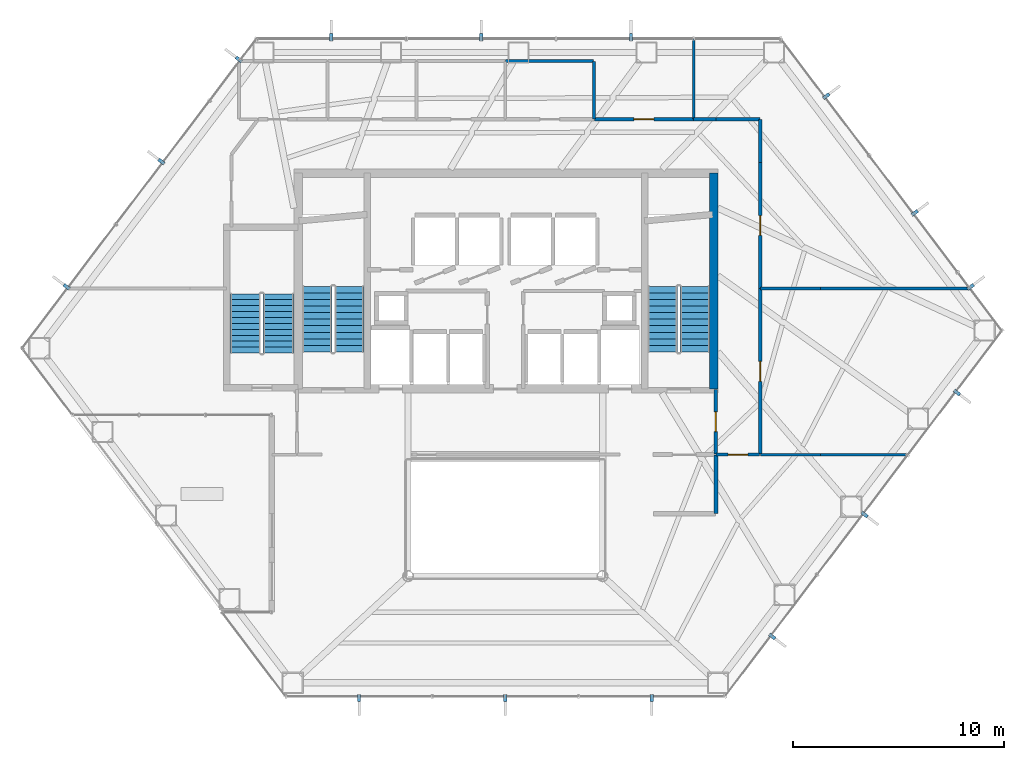
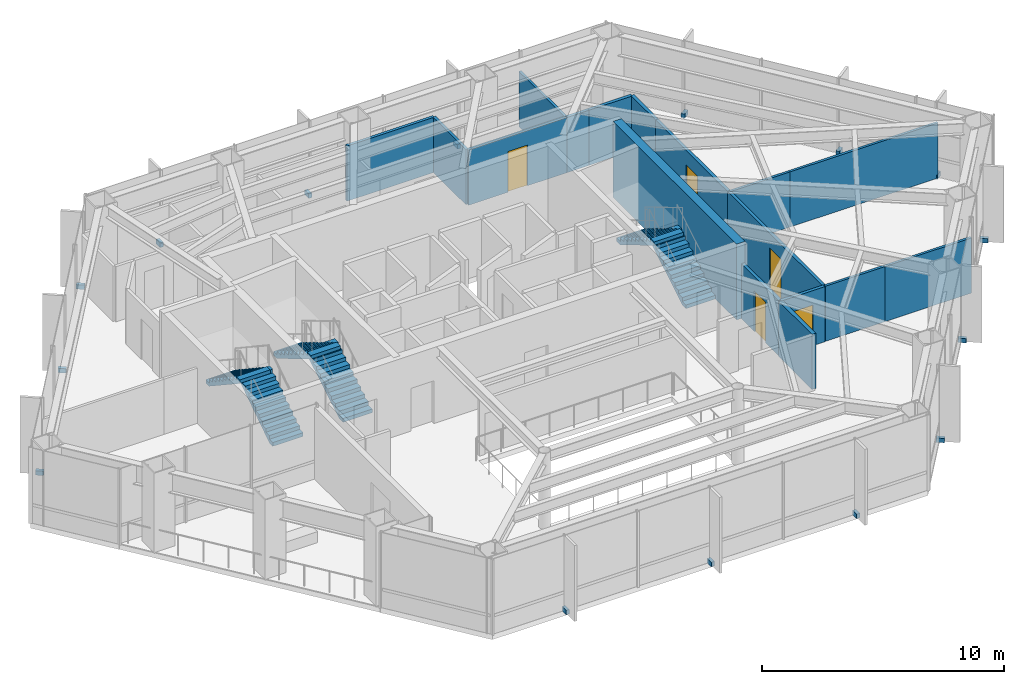
# One storey, part 22 of 24: 17 walls, 15 discrete accessories, 6 stair flights, 5 doors, 5 openings, 3 elements without a shape of their own.
"""IFC4 building model written with IfcOpenShell, lengths in metres."""

from ifc_helpers import new_model, si_unit, direction, frame, frame_2d, origin, origin_2d, place, context, subcontext, project, spatial, polyline, rectangle, outline, extrude, material, layer, layer_set, type_object, element, fill, aggregate, save


model = new_model("IFC4")

# Units and contexts
model_context = context("Model", 3, precision=1e-05, world=origin(), true_north=direction((0.0, 1.0)))
body_context = subcontext(model_context, "Body", "Model", "MODEL_VIEW")
ifc_project = project(units=[si_unit("LENGTHUNIT", "METRE"), si_unit("AREAUNIT", "SQUARE_METRE"), si_unit("VOLUMEUNIT", "CUBIC_METRE"), si_unit("PLANEANGLEUNIT", "RADIAN"), si_unit("MASSUNIT", "GRAM", prefix="KILO")], contexts=[model_context])

# Site, building, storey
site_placement = place(None, origin())
site = spatial("IfcSite", under=ifc_project, at=site_placement, CompositionType="ELEMENT")
building_placement = place(site_placement, origin())
building = spatial("IfcBuilding", under=site, at=building_placement, Name="Zarrinselat Tower", CompositionType="ELEMENT")
storey_placement = place(building_placement, frame((0.0, 0.0, 64.260009765625)))
storey = spatial("IfcBuildingStorey", under=building, at=storey_placement, Name="L15", CompositionType="ELEMENT", Elevation=64.260009765625)

# Wall
ifc_material_1 = material(Name="Concrete C40/50", Category="concrete")
ifc_layer_1 = layer(ifc_material_1, 0.18994140625)
ifc_layer_set_1 = layer_set([ifc_layer_1], Name="Concrete C40/50")
wall_type_1 = type_object("IfcWallType", Name="WAL-PART-EI120", PredefinedType="PARTITIONING", material=ifc_layer_set_1)
wall_1_placement = place(storey_placement, frame((48.35009765625, 27.3701171875, 0.0), z_axis=(0.0, 0.0, 1.0), x_axis=(0.0, 1.0, 0.0)))
element("IfcWall", 1, at=wall_1_placement, inside=storey, type_object=wall_type_1, Name="L15 Partition Wall 14", PredefinedType="PARTITIONING", context=body_context, shape_type="SweptSolid", body=[
    extrude(rectangle(XDim=2.759765625, YDim=0.18994140625, at=frame_2d((1.3798828125, 0.0))), origin(), (0.0, 0.0, 1.0), 2.777099609375),
])

# Wall, opening, door
ifc_material_2 = material(Name="Fire-Rated Gypsum Board Partition", Category="gypsum")
ifc_layer_2 = layer(ifc_material_2, 0.14990234375)
ifc_layer_set_2 = layer_set([ifc_layer_2], Name="Fire-Rated Gypsum Board Partition")
wall_type_2 = type_object("IfcWallType", Name="WAL-PART-EI60", PredefinedType="PARTITIONING", material=ifc_layer_set_2)
wall_2_placement = place(storey_placement, frame((48.35009765625, 30.169921875, 0.0), z_axis=(0.0, 0.0, 1.0), x_axis=(0.0, 1.0, 0.0)))
wall_2 = element("IfcWall", 2, at=wall_2_placement, inside=storey, type_object=wall_type_2, Name="L15 Partition Wall 9", PredefinedType="PARTITIONING", context=body_context, shape_type="SweptSolid", body=[
    extrude(rectangle(XDim=3.06005859375, YDim=0.14990234375, at=frame_2d((1.530029296875, 0.0))), origin(), (0.0, 0.0, 1.0), 2.777099609375),
])
opening_1_placement = place(wall_2_placement, frame((1.06005859375, 0.0, 0.0)))
opening_1 = element("IfcOpeningElement", 3, at=opening_1_placement, cuts=wall_2, Name="Opening ID-04", PredefinedType="OPENING", context=body_context, shape_type="SweptSolid", body=[
    extrude(rectangle(XDim=0.93994140625, YDim=2.050048828125, at=frame_2d((0.469970703125, 1.02490234375))), frame((0.0, 0.0849609375, 0.0), z_axis=(0.0, -1.0, 0.0), x_axis=(1.0, 0.0, 0.0)), (0.0, 0.0, 1.0), 0.169921875),
])
ifc_material_3 = material(Name="Fire-Rated Gypsum Board Partition")
door_type = type_object("IfcDoorType", Name="DR-INT-FD30-ENT", OperationType="NOTDEFINED", PredefinedType="DOOR", material=ifc_material_3)
door_1_placement = place(opening_1_placement, origin())
door_1 = element("IfcDoor", 4, at=door_1_placement, inside=storey, type_object=door_type, Name="L15 Interior Door P9", OperationType="SINGLE_SWING_LEFT", OverallHeight=2.050048828125, OverallWidth=0.93994140625, PredefinedType="DOOR", context=body_context, shape_type="SweptSolid", body=[
    extrude(rectangle(XDim=0.93994140625, YDim=2.050048828125, at=frame_2d((0.469970703125, 1.02490234375))), frame((0.0, 0.02490234375, 0.0), z_axis=(0.0, -1.0, 0.0), x_axis=(1.0, 0.0, 0.0)), (0.0, 0.0, 1.0), 0.050048828125),
])
fill(opening_1, door_1)

wall_3_placement = place(storey_placement, frame((48.3701171875, 30.14990234375, 0.0), z_axis=(0.0, 0.0, 1.0), x_axis=(1.0, 0.0, 0.0)))
wall_3 = element("IfcWall", 5, at=wall_3_placement, inside=storey, type_object=wall_type_2, Name="L15 Partition Wall 20", PredefinedType="PARTITIONING", context=body_context, shape_type="SweptSolid", body=[
    extrude(rectangle(XDim=2.059814453125, YDim=0.14990234375, at=frame_2d((1.02978515625, 0.0))), origin(), (0.0, 0.0, 1.0), 2.777099609375),
])
opening_2_placement = place(wall_3_placement, frame((0.56005859375, 0.0, 0.0)))
opening_2 = element("IfcOpeningElement", 6, at=opening_2_placement, cuts=wall_3, Name="Opening ID-04", PredefinedType="OPENING", context=body_context, shape_type="SweptSolid", body=[
    extrude(rectangle(XDim=0.93994140625, YDim=2.050048828125, at=frame_2d((0.469970703125, 1.02490234375))), frame((0.0, 0.0849609375, 0.0), z_axis=(0.0, -1.0, 0.0), x_axis=(1.0, 0.0, 0.0)), (0.0, 0.0, 1.0), 0.169921875),
])
door_2_placement = place(opening_2_placement, origin())
door_2 = element("IfcDoor", 7, at=door_2_placement, inside=storey, type_object=door_type, Name="L15 Interior Door P20", OperationType="SINGLE_SWING_RIGHT", OverallHeight=2.050048828125, OverallWidth=0.93994140625, PredefinedType="DOOR", context=body_context, shape_type="SweptSolid", body=[
    extrude(rectangle(XDim=0.93994140625, YDim=2.050048828125, at=frame_2d((0.469970703125, 1.02490234375))), frame((0.0, 0.02490234375, 0.0), z_axis=(0.0, -1.0, 0.0), x_axis=(1.0, 0.0, 0.0)), (0.0, 0.0, 1.0), 0.050048828125),
])
fill(opening_2, door_2)

wall_4_placement = place(storey_placement, frame((50.449951171875, 30.169921875, 0.0), z_axis=(0.0, 0.0, 1.0), x_axis=(0.0, 1.0, 0.0)))
wall_4 = element("IfcWall", 8, at=wall_4_placement, inside=storey, type_object=wall_type_2, Name="L15 Partition Wall 21", PredefinedType="PARTITIONING", context=body_context, shape_type="SweptSolid", body=[
    extrude(rectangle(XDim=7.8251953125, YDim=0.14990234375, at=frame_2d((3.91259765625, 0.0))), origin(), (0.0, 0.0, 1.0), 2.777099609375),
])
opening_3_placement = place(wall_4_placement, frame((3.4423828125, 0.0, 0.0)))
opening_3 = element("IfcOpeningElement", 9, at=opening_3_placement, cuts=wall_4, Name="Opening ID-04", PredefinedType="OPENING", context=body_context, shape_type="SweptSolid", body=[
    extrude(rectangle(XDim=0.93994140625, YDim=2.050048828125, at=frame_2d((0.469970703125, 1.02490234375))), frame((0.0, 0.0849609375, 0.0), z_axis=(0.0, -1.0, 0.0), x_axis=(1.0, 0.0, 0.0)), (0.0, 0.0, 1.0), 0.169921875),
])
door_3_placement = place(opening_3_placement, origin())
door_3 = element("IfcDoor", 10, at=door_3_placement, inside=storey, type_object=door_type, Name="L15 Interior Door P21", OperationType="SINGLE_SWING_LEFT", OverallHeight=2.050048828125, OverallWidth=0.93994140625, PredefinedType="DOOR", context=body_context, shape_type="SweptSolid", body=[
    extrude(rectangle(XDim=0.93994140625, YDim=2.050048828125, at=frame_2d((0.469970703125, 1.02490234375))), frame((0.0, 0.02490234375, 0.0), z_axis=(0.0, -1.0, 0.0), x_axis=(1.0, 0.0, 0.0)), (0.0, 0.0, 1.0), 0.050048828125),
])
fill(opening_3, door_3)

# Walls
wall_5_placement = place(storey_placement, frame((47.304931640625, 46.0, 0.0), z_axis=(0.0, 0.0, 1.0), x_axis=(1.0, 0.0, 0.0)))
element("IfcWall", 11, at=wall_5_placement, inside=storey, type_object=wall_type_2, Name="L15 Partition Wall 24", PredefinedType="PARTITIONING", context=body_context, shape_type="SweptSolid", body=[
    extrude(rectangle(XDim=1.045166015625, YDim=0.14990234375, at=frame_2d((0.5224609375, 0.0))), origin(), (0.0, 0.0, 1.0), 2.777099609375),
])
wall_6_placement = place(storey_placement, frame((48.35009765625, 46.0, 0.0), z_axis=(0.0, 0.0, 1.0), x_axis=(1.0, 0.0, 0.0)))
element("IfcWall", 12, at=wall_6_placement, inside=storey, type_object=wall_type_2, Name="L15 Partition Wall 25", PredefinedType="PARTITIONING", context=body_context, shape_type="SweptSolid", body=[
    extrude(rectangle(XDim=2.079833984375, YDim=0.14990234375, at=frame_2d((1.0400390625, 0.0))), origin(), (0.0, 0.0, 1.0), 2.777099609375),
])
wall_7_placement = place(storey_placement, frame((50.449951171875, 43.949951171875, 0.0), z_axis=(0.0, 0.0, 1.0), x_axis=(0.0, 1.0, 0.0)))
element("IfcWall", 13, at=wall_7_placement, inside=storey, type_object=wall_type_2, Name="L15 Partition Wall 26", PredefinedType="PARTITIONING", context=body_context, shape_type="SweptSolid", body=[
    extrude(rectangle(XDim=2.030029296875, YDim=0.14990234375, at=frame_2d((1.01513671875, 0.0))), origin(), (0.0, 0.0, 1.0), 2.777099609375),
])

# Wall, opening, door
wall_8_placement = place(storey_placement, frame((50.449951171875, 38.0048828125, 0.0), z_axis=(0.0, 0.0, 1.0), x_axis=(0.0, 1.0, 0.0)))
wall_8 = element("IfcWall", 14, at=wall_8_placement, inside=storey, type_object=wall_type_2, Name="L15 Partition Wall 27", PredefinedType="PARTITIONING", context=body_context, shape_type="SweptSolid", body=[
    extrude(rectangle(XDim=5.945068359375, YDim=0.14990234375, at=frame_2d((2.97265625, 0.0))), origin(), (0.0, 0.0, 1.0), 2.777099609375),
])
opening_4_placement = place(wall_8_placement, frame((2.50244140625, 0.0, 0.0)))
opening_4 = element("IfcOpeningElement", 15, at=opening_4_placement, cuts=wall_8, Name="Opening ID-04", PredefinedType="OPENING", context=body_context, shape_type="SweptSolid", body=[
    extrude(rectangle(XDim=0.93994140625, YDim=2.050048828125, at=frame_2d((0.469970703125, 1.02490234375))), frame((0.0, 0.0849609375, 0.0), z_axis=(0.0, -1.0, 0.0), x_axis=(1.0, 0.0, 0.0)), (0.0, 0.0, 1.0), 0.169921875),
])
door_4_placement = place(opening_4_placement, origin())
door_4 = element("IfcDoor", 16, at=door_4_placement, inside=storey, type_object=door_type, Name="L15 Interior Door P27", OperationType="SINGLE_SWING_LEFT", OverallHeight=2.050048828125, OverallWidth=0.93994140625, PredefinedType="DOOR", context=body_context, shape_type="SweptSolid", body=[
    extrude(rectangle(XDim=0.93994140625, YDim=2.050048828125, at=frame_2d((0.469970703125, 1.02490234375))), frame((0.0, 0.02490234375, 0.0), z_axis=(0.0, -1.0, 0.0), x_axis=(1.0, 0.0, 0.0)), (0.0, 0.0, 1.0), 0.050048828125),
])
fill(opening_4, door_4)

wall_9_placement = place(storey_placement, frame((42.60498046875, 46.0, 0.0), z_axis=(0.0, 0.0, 1.0), x_axis=(1.0, 0.0, 0.0)))
wall_9 = element("IfcWall", 17, at=wall_9_placement, inside=storey, type_object=wall_type_2, Name="L15 Partition Wall 28", PredefinedType="PARTITIONING", context=body_context, shape_type="SweptSolid", body=[
    extrude(rectangle(XDim=4.68994140625, YDim=0.14990234375, at=frame_2d((2.344970703125, 0.0))), origin(), (0.0, 0.0, 1.0), 2.777099609375),
])
opening_5_placement = place(wall_9_placement, frame((1.875, 0.0, 0.0)))
opening_5 = element("IfcOpeningElement", 18, at=opening_5_placement, cuts=wall_9, Name="Opening ID-04", PredefinedType="OPENING", context=body_context, shape_type="SweptSolid", body=[
    extrude(rectangle(XDim=0.93994140625, YDim=2.050048828125, at=frame_2d((0.469970703125, 1.02490234375))), frame((0.0, 0.0849609375, 0.0), z_axis=(0.0, -1.0, 0.0), x_axis=(1.0, 0.0, 0.0)), (0.0, 0.0, 1.0), 0.169921875),
])
door_5_placement = place(opening_5_placement, origin())
door_5 = element("IfcDoor", 19, at=door_5_placement, inside=storey, type_object=door_type, Name="L15 Interior Door P28", OperationType="SINGLE_SWING_RIGHT", OverallHeight=2.050048828125, OverallWidth=0.93994140625, PredefinedType="DOOR", context=body_context, shape_type="SweptSolid", body=[
    extrude(rectangle(XDim=0.93994140625, YDim=2.050048828125, at=frame_2d((0.469970703125, 1.02490234375))), frame((0.0, 0.02490234375, 0.0), z_axis=(0.0, -1.0, 0.0), x_axis=(1.0, 0.0, 0.0)), (0.0, 0.0, 1.0), 0.050048828125),
])
fill(opening_5, door_5)

# Walls
ifc_material_4 = material(Name="Fire-Rated Gypsum Board Partition", Category="gypsum")
ifc_layer_3 = layer(ifc_material_4, 0.1201171875)
ifc_layer_set_3 = layer_set([ifc_layer_3], Name="Fire-Rated Gypsum Board Partition")
wall_type_3 = type_object("IfcWallType", Name="WAL-PART-STD", PredefinedType="PARTITIONING", material=ifc_layer_set_3)
wall_10_placement = place(storey_placement, frame((50.469970703125, 30.14990234375, 0.0), z_axis=(0.0, 0.0, 1.0), x_axis=(1.0, 0.0, 0.0)))
element("IfcWall", 20, at=wall_10_placement, inside=storey, type_object=wall_type_3, Name="L15 Partition Wall 40", PredefinedType="PARTITIONING", context=body_context, shape_type="SweptSolid", body=[
    extrude(rectangle(XDim=2.830078125, YDim=0.1201171875, at=frame_2d((1.4150390625, 0.0))), origin(), (0.0, 0.0, 1.0), 2.777099609375),
])
wall_11_placement = place(storey_placement, frame((53.300048828125, 30.14990234375, 0.0), z_axis=(0.0, 0.0, 1.0), x_axis=(1.0, 0.0, 0.0)))
element("IfcWall", 21, at=wall_11_placement, inside=storey, type_object=wall_type_3, Name="L15 Partition Wall 41", PredefinedType="PARTITIONING", context=body_context, shape_type="SweptSolid", body=[
    extrude(rectangle(XDim=4.129638671875, YDim=0.1201171875, at=frame_2d((2.06494140625, 0.0))), origin(), (0.0, 0.0, 1.0), 2.777099609375),
])
wall_12_placement = place(storey_placement, frame((50.469970703125, 38.0, 0.0), z_axis=(0.0, 0.0, 1.0), x_axis=(1.0, 0.0, 0.0)))
element("IfcWall", 22, at=wall_12_placement, inside=storey, type_object=wall_type_3, Name="L15 Partition Wall 44", PredefinedType="PARTITIONING", context=body_context, shape_type="SweptSolid", body=[
    extrude(rectangle(XDim=2.830078125, YDim=0.1201171875, at=frame_2d((1.4150390625, 0.0))), origin(), (0.0, 0.0, 1.0), 2.777099609375),
])
wall_13_placement = place(storey_placement, frame((53.300048828125, 38.0, 0.0), z_axis=(0.0, 0.0, 1.0), x_axis=(1.0, 0.0, 0.0)))
element("IfcWall", 23, at=wall_13_placement, inside=storey, type_object=wall_type_3, Name="L15 Partition Wall 45", PredefinedType="PARTITIONING", context=body_context, shape_type="SweptSolid", body=[
    extrude(rectangle(XDim=7.058837890625, YDim=0.1201171875, at=frame_2d((3.529296875, 0.0))), origin(), (0.0, 0.0, 1.0), 2.777099609375),
])
wall_14_placement = place(storey_placement, frame((47.300048828125, 46.02001953125, 0.0), z_axis=(0.0, 0.0, 1.0), x_axis=(0.0, 1.0, 0.0)))
element("IfcWall", 24, at=wall_14_placement, inside=storey, type_object=wall_type_3, Name="L15 Partition Wall 46", PredefinedType="PARTITIONING", context=body_context, shape_type="SweptSolid", body=[
    extrude(rectangle(XDim=3.776123046875, YDim=0.1201171875, at=frame_2d((1.88818359375, 0.0))), origin(), (0.0, 0.0, 1.0), 2.777099609375),
])
ifc_material_5 = material(Name="Fire-Rated Gypsum Board Partition", Category="gypsum")
ifc_layer_4 = layer(ifc_material_5, 0.135009765625)
ifc_layer_set_4 = layer_set([ifc_layer_4], Name="Fire-Rated Gypsum Board Partition")
wall_type_4 = type_object("IfcWallType", Name="WAL-PART-WET", PredefinedType="PARTITIONING", material=ifc_layer_set_4)
wall_15_placement = place(storey_placement, frame((38.419921875, 48.75, 0.0), z_axis=(0.0, 0.0, 1.0), x_axis=(1.0, 0.0, 0.0)))
element("IfcWall", 25, at=wall_15_placement, inside=storey, type_object=wall_type_4, Name="L15 Partition Wall 37", PredefinedType="PARTITIONING", context=body_context, shape_type="SweptSolid", body=[
    extrude(rectangle(XDim=4.16015625, YDim=0.135009765625, at=frame_2d((2.080078125, 0.0))), origin(), (0.0, 0.0, 1.0), 2.777099609375),
])
wall_16_placement = place(storey_placement, frame((42.60009765625, 46.02001953125, 0.0), z_axis=(0.0, 0.0, 1.0), x_axis=(0.0, 1.0, 0.0)))
element("IfcWall", 26, at=wall_16_placement, inside=storey, type_object=wall_type_4, Name="L15 Partition Wall 38", PredefinedType="PARTITIONING", context=body_context, shape_type="SweptSolid", body=[
    extrude(rectangle(XDim=2.7099609375, YDim=0.135009765625, at=frame_2d((1.35498046875, 0.0))), origin(), (0.0, 0.0, 1.0), 2.777099609375),
])
ifc_material_6 = material(Name="Concrete C60/75", Category="concrete")
ifc_layer_5 = layer(ifc_material_6, 0.39990234375)
ifc_layer_set_5 = layer_set([ifc_layer_5], Name="Concrete C60/75")
wall_type_5 = type_object("IfcWallType", Name="WAL-SHEAR-400", PredefinedType="SHEAR", material=ifc_layer_set_5)
wall_17_placement = place(storey_placement, frame((48.260009765625, 33.25, 0.0), z_axis=(0.0, 0.0, 1.0), x_axis=(0.0, 1.0, 0.0)))
element("IfcWall", 27, at=wall_17_placement, inside=storey, type_object=wall_type_5, Name="L15 Core Shear Wall E", PredefinedType="SHEAR", context=body_context, shape_type="SweptSolid", body=[
    extrude(rectangle(XDim=10.199951171875, YDim=0.39990234375, at=frame_2d((5.10009765625, 0.0))), origin(), (0.0, 0.0, 1.0), 3.820068359375),
])

# Stair, stair flights
ifc_material_7 = material(Name="Concrete C40/50", Category="concrete")
stair_type_1 = type_object("IfcStairType", Name="STR-CORE-145", PredefinedType="HALF_TURN_STAIR", material=ifc_material_7)
stair_1_placement = place(storey_placement, origin())
stair_1 = element("IfcStair", 28, at=stair_1_placement, inside=storey, type_object=stair_type_1, Name="L15 Podium & Mid-Tower Exit Stair 3", PredefinedType="HALF_TURN_STAIR")
ifc_material_8 = material(Name="Concrete C40/50", Category="concrete")
stair_flight_type_1 = type_object("IfcStairFlightType", Name="STR-FLT-145", PredefinedType="STRAIGHT", material=ifc_material_8)
stair_flight_1_placement = place(storey_placement, frame((27.675048828125, 34.949951171875, 0.0), z_axis=(0.0, 0.0, 1.0), x_axis=(0.0, 1.0, 0.0)))
stair_flight_1 = element("IfcStairFlight", 29, at=stair_flight_1_placement, type_object=stair_flight_type_1, Name="ST-3 flight 1", NumberOfRisers=11, NumberOfTreads=10, PredefinedType="STRAIGHT", RiserHeight=0.185454545, TreadLength=0.28, context=body_context, shape_type="SweptSolid", body=[
    extrude(outline(polyline([(0.0, 0.0), (0.0, 0.185546875), (0.280029296875, 0.185546875), (0.280029296875, 0.370849609375), (0.56005859375, 0.370849609375), (0.56005859375, 0.556396484375), (0.840087890625, 0.556396484375), (0.840087890625, 0.74169921875), (1.1201171875, 0.74169921875), (1.1201171875, 0.92724609375), (1.39990234375, 0.92724609375), (1.39990234375, 1.11279296875), (1.679931640625, 1.11279296875), (1.679931640625, 1.298095703125), (1.9599609375, 1.298095703125), (1.9599609375, 1.483642578125), (2.239990234375, 1.483642578125), (2.239990234375, 1.669189453125), (2.52001953125, 1.669189453125), (2.52001953125, 1.8544921875), (2.800048828125, 1.8544921875), (2.800048828125, 2.0400390625), (2.800048828125, 1.6748046875), (0.271484375, 0.0), (0.0, 0.0)])), frame((0.0, 0.72509765625, 0.0), z_axis=(0.0, -1.0, 0.0), x_axis=(1.0, 0.0, 0.0)), (0.0, 0.0, 1.0), 1.449951171875),
])
stair_flight_2_placement = place(storey_placement, frame((26.10498046875, 37.75, 2.0400390625), z_axis=(0.0, 0.0, 1.0), x_axis=(0.0, -1.0, 0.0)))
stair_flight_2 = element("IfcStairFlight", 30, at=stair_flight_2_placement, type_object=stair_flight_type_1, Name="ST-3 flight 2", NumberOfRisers=11, NumberOfTreads=10, PredefinedType="STRAIGHT", RiserHeight=0.185454545, TreadLength=0.28, context=body_context, shape_type="SweptSolid", body=[
    extrude(outline(polyline([(0.0, 0.0), (0.0, 0.185546875), (0.280029296875, 0.185546875), (0.280029296875, 0.370849609375), (0.56005859375, 0.370849609375), (0.56005859375, 0.556396484375), (0.840087890625, 0.556396484375), (0.840087890625, 0.74169921875), (1.1201171875, 0.74169921875), (1.1201171875, 0.92724609375), (1.39990234375, 0.92724609375), (1.39990234375, 1.11279296875), (1.679931640625, 1.11279296875), (1.679931640625, 1.298095703125), (1.9599609375, 1.298095703125), (1.9599609375, 1.483642578125), (2.239990234375, 1.483642578125), (2.239990234375, 1.669189453125), (2.52001953125, 1.669189453125), (2.52001953125, 1.8544921875), (2.800048828125, 1.8544921875), (2.800048828125, 2.0400390625), (2.800048828125, 1.6748046875), (0.271484375, 0.0), (0.0, 0.0)])), frame((0.0, 0.72509765625, 0.0), z_axis=(0.0, -1.0, 0.0), x_axis=(1.0, 0.0, 0.0)), (0.0, 0.0, 1.0), 1.449951171875),
])
aggregate(stair_1, [stair_flight_1, stair_flight_2])

ifc_material_9 = material(Name="Concrete C40/50", Category="concrete")
stair_type_2 = type_object("IfcStairType", Name="STR-CORE-155", PredefinedType="HALF_TURN_STAIR", material=ifc_material_9)
stair_2_placement = place(storey_placement, origin())
stair_2 = element("IfcStair", 31, at=stair_2_placement, inside=storey, type_object=stair_type_2, Name="L15 Core Exit Stair 1", PredefinedType="HALF_TURN_STAIR")
ifc_material_10 = material(Name="Concrete C40/50", Category="concrete")
stair_flight_type_2 = type_object("IfcStairFlightType", Name="STR-FLT-155", PredefinedType="STRAIGHT", material=ifc_material_10)
stair_flight_3_placement = place(storey_placement, frame((31.02001953125, 35.0, 0.0), z_axis=(0.0, 0.0, 1.0), x_axis=(0.0, 1.0, 0.0)))
stair_flight_3 = element("IfcStairFlight", 32, at=stair_flight_3_placement, type_object=stair_flight_type_2, Name="ST-1 flight 1", NumberOfRisers=11, NumberOfTreads=10, PredefinedType="STRAIGHT", RiserHeight=0.185454545, TreadLength=0.31, context=body_context, shape_type="SweptSolid", body=[
    extrude(outline(polyline([(0.0, 0.0), (0.0, 0.185546875), (0.31005859375, 0.185546875), (0.31005859375, 0.370849609375), (0.6201171875, 0.370849609375), (0.6201171875, 0.556396484375), (0.929931640625, 0.556396484375), (0.929931640625, 0.74169921875), (1.239990234375, 0.74169921875), (1.239990234375, 0.92724609375), (1.550048828125, 0.92724609375), (1.550048828125, 1.11279296875), (1.860107421875, 1.11279296875), (1.860107421875, 1.298095703125), (2.169921875, 1.298095703125), (2.169921875, 1.483642578125), (2.47998046875, 1.483642578125), (2.47998046875, 1.669189453125), (2.7900390625, 1.669189453125), (2.7900390625, 1.8544921875), (3.10009765625, 1.8544921875), (3.10009765625, 2.0400390625), (3.10009765625, 1.679931640625), (0.2919921875, 0.0), (0.0, 0.0)])), frame((0.0, 0.699951171875, 0.0), z_axis=(0.0, -1.0, 0.0), x_axis=(1.0, 0.0, 0.0)), (0.0, 0.0, 1.0), 1.39990234375),
])
stair_flight_4_placement = place(storey_placement, frame((29.5, 38.10009765625, 2.0400390625), z_axis=(0.0, 0.0, 1.0), x_axis=(0.0, -1.0, 0.0)))
stair_flight_4 = element("IfcStairFlight", 33, at=stair_flight_4_placement, type_object=stair_flight_type_2, Name="ST-1 flight 2", NumberOfRisers=11, NumberOfTreads=10, PredefinedType="STRAIGHT", RiserHeight=0.185454545, TreadLength=0.31, context=body_context, shape_type="SweptSolid", body=[
    extrude(outline(polyline([(0.0, 0.0), (0.0, 0.185546875), (0.31005859375, 0.185546875), (0.31005859375, 0.370849609375), (0.6201171875, 0.370849609375), (0.6201171875, 0.556396484375), (0.929931640625, 0.556396484375), (0.929931640625, 0.74169921875), (1.239990234375, 0.74169921875), (1.239990234375, 0.92724609375), (1.550048828125, 0.92724609375), (1.550048828125, 1.11279296875), (1.860107421875, 1.11279296875), (1.860107421875, 1.298095703125), (2.169921875, 1.298095703125), (2.169921875, 1.483642578125), (2.47998046875, 1.483642578125), (2.47998046875, 1.669189453125), (2.7900390625, 1.669189453125), (2.7900390625, 1.8544921875), (3.10009765625, 1.8544921875), (3.10009765625, 2.0400390625), (3.10009765625, 1.679931640625), (0.2919921875, 0.0), (0.0, 0.0)])), frame((0.0, 0.699951171875, 0.0), z_axis=(0.0, -1.0, 0.0), x_axis=(1.0, 0.0, 0.0)), (0.0, 0.0, 1.0), 1.39990234375),
])
aggregate(stair_2, [stair_flight_3, stair_flight_4])

stair_3_placement = place(storey_placement, origin())
stair_3 = element("IfcStair", 34, at=stair_3_placement, inside=storey, type_object=stair_type_2, Name="L15 Core Exit Stair 2", PredefinedType="HALF_TURN_STAIR")
stair_flight_5_placement = place(storey_placement, frame((47.360107421875, 35.0, 0.0), z_axis=(0.0, 0.0, 1.0), x_axis=(0.0, 1.0, 0.0)))
stair_flight_5 = element("IfcStairFlight", 35, at=stair_flight_5_placement, type_object=stair_flight_type_2, Name="ST-2 flight 1", NumberOfRisers=11, NumberOfTreads=10, PredefinedType="STRAIGHT", RiserHeight=0.185454545, TreadLength=0.31, context=body_context, shape_type="SweptSolid", body=[
    extrude(outline(polyline([(0.0, 0.0), (0.0, 0.185546875), (0.31005859375, 0.185546875), (0.31005859375, 0.370849609375), (0.6201171875, 0.370849609375), (0.6201171875, 0.556396484375), (0.929931640625, 0.556396484375), (0.929931640625, 0.74169921875), (1.239990234375, 0.74169921875), (1.239990234375, 0.92724609375), (1.550048828125, 0.92724609375), (1.550048828125, 1.11279296875), (1.860107421875, 1.11279296875), (1.860107421875, 1.298095703125), (2.169921875, 1.298095703125), (2.169921875, 1.483642578125), (2.47998046875, 1.483642578125), (2.47998046875, 1.669189453125), (2.7900390625, 1.669189453125), (2.7900390625, 1.8544921875), (3.10009765625, 1.8544921875), (3.10009765625, 2.0400390625), (3.10009765625, 1.679931640625), (0.2919921875, 0.0), (0.0, 0.0)])), frame((0.0, 0.699951171875, 0.0), z_axis=(0.0, -1.0, 0.0), x_axis=(1.0, 0.0, 0.0)), (0.0, 0.0, 1.0), 1.39990234375),
])
stair_flight_6_placement = place(storey_placement, frame((45.840087890625, 38.10009765625, 2.0400390625), z_axis=(0.0, 0.0, 1.0), x_axis=(0.0, -1.0, 0.0)))
stair_flight_6 = element("IfcStairFlight", 36, at=stair_flight_6_placement, type_object=stair_flight_type_2, Name="ST-2 flight 2", NumberOfRisers=11, NumberOfTreads=10, PredefinedType="STRAIGHT", RiserHeight=0.185454545, TreadLength=0.31, context=body_context, shape_type="SweptSolid", body=[
    extrude(outline(polyline([(0.0, 0.0), (0.0, 0.185546875), (0.31005859375, 0.185546875), (0.31005859375, 0.370849609375), (0.6201171875, 0.370849609375), (0.6201171875, 0.556396484375), (0.929931640625, 0.556396484375), (0.929931640625, 0.74169921875), (1.239990234375, 0.74169921875), (1.239990234375, 0.92724609375), (1.550048828125, 0.92724609375), (1.550048828125, 1.11279296875), (1.860107421875, 1.11279296875), (1.860107421875, 1.298095703125), (2.169921875, 1.298095703125), (2.169921875, 1.483642578125), (2.47998046875, 1.483642578125), (2.47998046875, 1.669189453125), (2.7900390625, 1.669189453125), (2.7900390625, 1.8544921875), (3.10009765625, 1.8544921875), (3.10009765625, 2.0400390625), (3.10009765625, 1.679931640625), (0.2919921875, 0.0), (0.0, 0.0)])), frame((0.0, 0.699951171875, 0.0), z_axis=(0.0, -1.0, 0.0), x_axis=(1.0, 0.0, 0.0)), (0.0, 0.0, 1.0), 1.39990234375),
])
aggregate(stair_3, [stair_flight_5, stair_flight_6])

# Discrete accessories
ifc_material_11 = material(Name="Steel S355J2", Category="steel")
discrete_accessory_type = type_object("IfcDiscreteAccessoryType", Name="ACC-FIN-BRACKET", PredefinedType="BRACKET", material=ifc_material_11)
for number, where, z_axis, x_axis, name in (
    (37, (17.660400390625, 38.07861328125, -0.0498046875), (0.0, 0.0, 1.0), (-0.797092942501, 0.603856639456, 0.0), "L15 Fin Fixing Bracket CW-L15-E01-01"),
    (38, (22.1455078125, 43.998779296875, -0.0498046875), (0.0, 0.0, 1.0), (-0.797092942501, 0.603856639456, 0.0), "L15 Fin Fixing Bracket CW-L15-E01-03"),
    (39, (25.804443359375, 48.82861328125, -0.0498046875), (0.0, 0.0, 1.0), (-0.797092942501, 0.603856639456, 0.0), "L15 Fin Fixing Bracket CW-L15-E01-05"),
    (40, (30.177978515625, 49.881103515625, -0.0498046875), (0.0, 0.0, 1.0), (0.0, 1.0, 0.0), "L15 Fin Fixing Bracket CW-L15-E02-01"),
    (41, (37.260498046875, 49.881103515625, -0.0498046875), (0.0, 0.0, 1.0), (0.0, 1.0, 0.0), "L15 Fin Fixing Bracket CW-L15-E02-03"),
    (42, (44.34326171875, 49.881103515625, -0.0498046875), (0.0, 0.0, 1.0), (0.0, 1.0, 0.0), "L15 Fin Fixing Bracket CW-L15-E02-05"),
    (43, (53.572998046875, 47.0927734375, -0.0498046875), (0.0, 0.0, 1.0), (0.797090547779, 0.603859800485, 0.0), "L15 Fin Fixing Bracket CW-L15-E03-01"),
    (44, (57.755859375, 41.57177734375, -0.0498046875), (0.0, 0.0, 1.0), (0.797090547779, 0.603859800485, 0.0), "L15 Fin Fixing Bracket CW-L15-E03-03"),
    (45, (60.402099609375, 38.07861328125, -0.0498046875), (0.0, 0.0, 1.0), (0.797090547779, 0.603859800485, 0.0), "L15 Fin Fixing Bracket CW-L15-E03-05"),
    (46, (59.75390625, 33.082275390625, -0.0498046875), (0.0, 0.0, 1.0), (0.797091005808, -0.603859195889, 0.0), "L15 Fin Fixing Bracket CW-L15-E04-01"),
    (47, (55.384765625, 27.315185546875, -0.0498046875), (0.0, 0.0, 1.0), (0.797091005808, -0.603859195889, 0.0), "L15 Fin Fixing Bracket CW-L15-E04-03"),
    (48, (51.015625, 21.5478515625, -0.0498046875), (0.0, 0.0, 1.0), (0.797091005808, -0.603859195889, 0.0), "L15 Fin Fixing Bracket CW-L15-E04-05"),
    (49, (45.31689453125, 18.636474609375, -0.0498046875), (0.0, 0.0, 1.0), (0.0, -1.0, 0.0), "L15 Fin Fixing Bracket CW-L15-E05-01"),
    (50, (38.39990234375, 18.636474609375, -0.0498046875), (0.0, 0.0, 1.0), (0.0, -1.0, 0.0), "L15 Fin Fixing Bracket CW-L15-E05-03"),
    (51, (31.483154296875, 18.636474609375, -0.0498046875), (0.0, 0.0, 1.0), (0.0, -1.0, 0.0), "L15 Fin Fixing Bracket CW-L15-E05-05"),
):
    element("IfcDiscreteAccessory", number, at=place(storey_placement, frame(where, z_axis=z_axis, x_axis=x_axis)), inside=storey, type_object=discrete_accessory_type, Name=name, PredefinedType="BRACKET", context=body_context, shape_type="SweptSolid", body=[
        extrude(rectangle(XDim=0.340087890625, YDim=0.159912109375, at=origin_2d()), origin(), (0.0, 0.0, 1.0), 0.219970703125),
    ])

save(model, "model.ifc")
